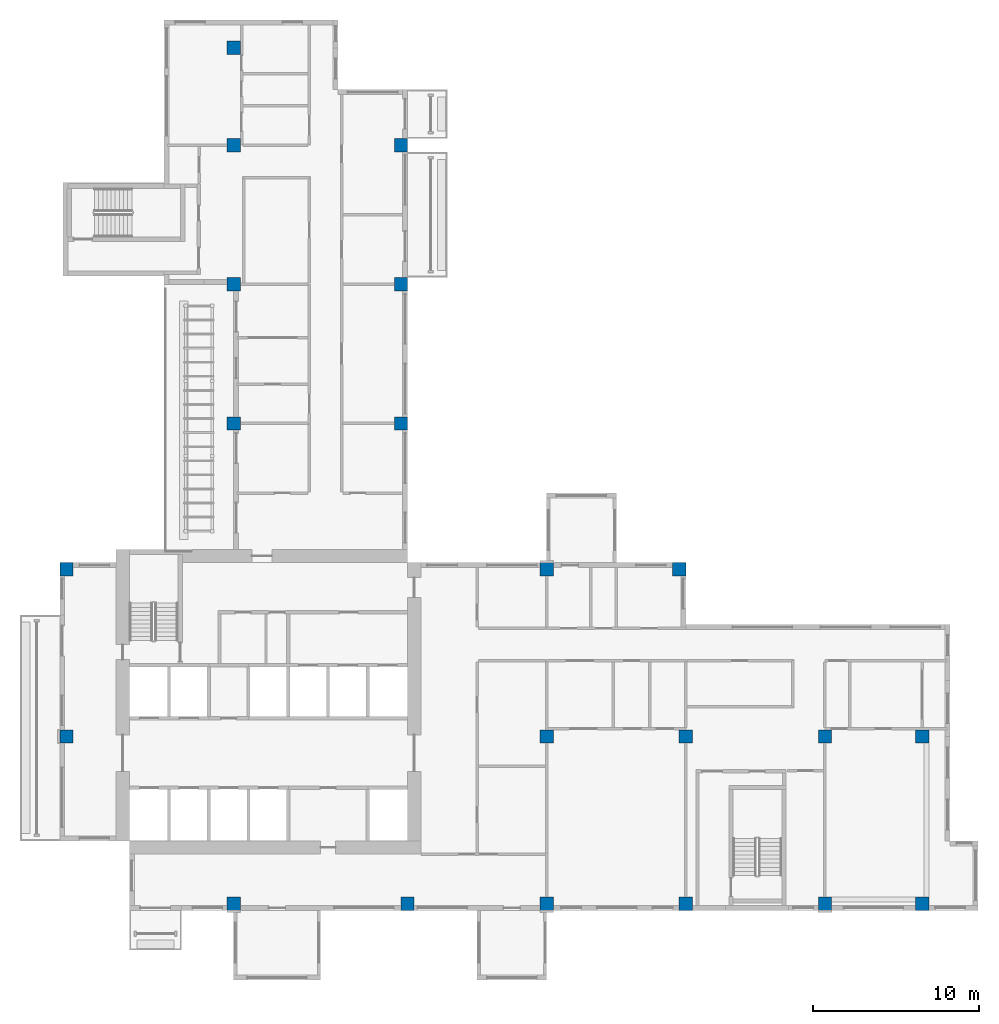
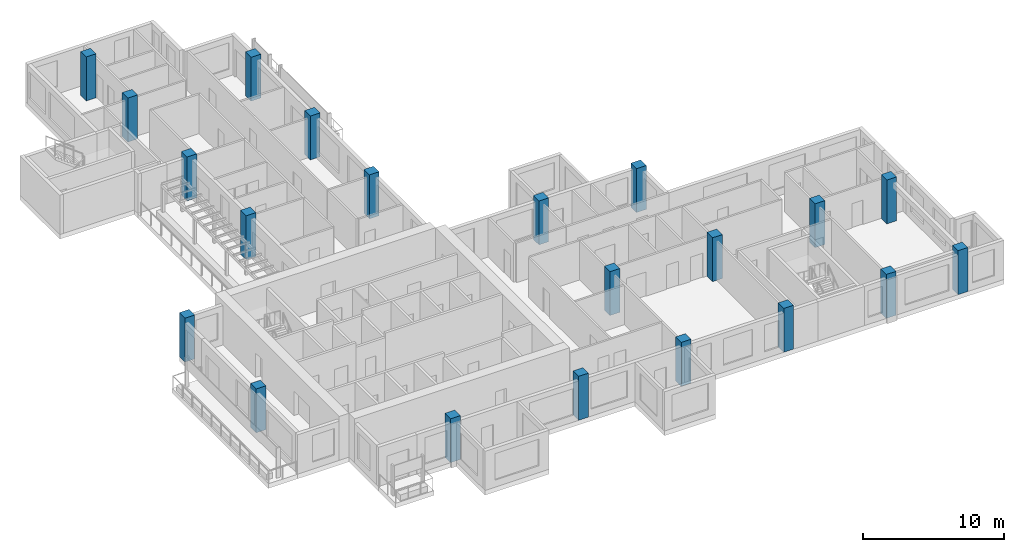
# One storey, part 1 of 14: 21 columns.
"""IFC4 building model written with IfcOpenShell, lengths in metres."""

from ifc_helpers import new_model, si_unit, direction, frame, origin, origin_2d, place, context, subcontext, project, spatial, rectangle, extrude, source, transform, mapped, material, material_profile, profile_set, type_object, element, save


model = new_model("IFC4")

# Units and contexts
model_context = context("Model", 3, precision=1e-05, world=origin(), true_north=direction((0.0, 1.0)))
body_context = subcontext(model_context, "Body", "Model", "MODEL_VIEW")
ifc_project = project(units=[si_unit("LENGTHUNIT", "METRE"), si_unit("AREAUNIT", "SQUARE_METRE"), si_unit("VOLUMEUNIT", "CUBIC_METRE"), si_unit("PLANEANGLEUNIT", "RADIAN"), si_unit("MASSUNIT", "GRAM", prefix="KILO")], contexts=[model_context])

# Site, building, storey
site_placement = place(None, origin())
site = spatial("IfcSite", under=ifc_project, at=site_placement, CompositionType="ELEMENT")
building_placement = place(site_placement, origin())
building = spatial("IfcBuilding", under=site, at=building_placement, Name="Aurelian Terraces", CompositionType="ELEMENT")
storey_placement = place(building_placement, frame((0.0, 0.0, 231.0)))
storey = spatial("IfcBuildingStorey", under=building, at=storey_placement, Name="L52", CompositionType="ELEMENT", Elevation=231.0)

# Columns
ifc_material = material(Name="Concrete fc' 70 MPa", Category="concrete")
ifc_material_profile = material_profile(ifc_material, rectangle(XDim=0.8, YDim=0.8, at=origin_2d()))
ifc_profile_set = profile_set([ifc_material_profile], Name="Concrete fc' 70 MPa")
column_type = type_object("IfcColumnType", Name="RC COLUMN 800X800 FC70", PredefinedType="COLUMN", material=ifc_profile_set)
shared_shape = source(origin(), body_context, "Body", "SweptSolid", [
    extrude(rectangle(XDim=0.8, YDim=0.8, at=origin_2d()), origin(), (0.0, 0.0, 1.0), 3.8),
])
for number, where, z_axis, x_axis, name in (
    (1, (10.5, 0.4, 0.0), (0.0, 0.0, 1.0), (1.0, 0.0, 0.0), "Column 2/A L52"),
    (2, (21.0, 0.4, 0.0), (0.0, 0.0, 1.0), (1.0, 0.0, 0.0), "Column 3/A L52"),
    (3, (29.4, 0.4, 0.0), (0.0, 0.0, 1.0), (1.0, 0.0, 0.0), "Column 4/A L52"),
    (4, (37.8, 0.4, 0.0), (0.0, 0.0, 1.0), (1.0, 0.0, 0.0), "Column 5/A L52"),
    (5, (46.2, 0.4, 0.0), (0.0, 0.0, 1.0), (1.0, 0.0, 0.0), "Column 6/A L52"),
    (6, (52.08, 0.4, 0.0), (0.0, 0.0, 1.0), (1.0, 0.0, 0.0), "Column 7/A L52"),
    (7, (0.4, 10.5, 0.0), (0.0, 0.0, 1.0), (1.0, 0.0, 0.0), "Column 1/B L52"),
    (8, (29.4, 10.5, 0.0), (0.0, 0.0, 1.0), (1.0, 0.0, 0.0), "Column 4/B L52"),
    (9, (37.8, 10.5, 0.0), (0.0, 0.0, 1.0), (1.0, 0.0, 0.0), "Column 5/B L52"),
    (10, (46.2, 10.5, 0.0), (0.0, 0.0, 1.0), (1.0, 0.0, 0.0), "Column 6/B L52"),
    (11, (52.08, 10.5, 0.0), (0.0, 0.0, 1.0), (1.0, 0.0, 0.0), "Column 7/B L52"),
    (12, (0.4, 20.6, 0.0), (0.0, 0.0, 1.0), (1.0, 0.0, 0.0), "Column 1/C L52"),
    (13, (29.4, 20.6, 0.0), (0.0, 0.0, 1.0), (1.0, 0.0, 0.0), "Column 4/C L52"),
    (14, (37.4, 20.6, 0.0), (0.0, 0.0, 1.0), (1.0, 0.0, 0.0), "Column 5/C L52"),
    (15, (10.5, 29.4, 0.0), (0.0, 0.0, 1.0), (1.0, 0.0, 0.0), "Column 2/D L52"),
    (16, (20.6, 29.4, 0.0), (0.0, 0.0, 1.0), (1.0, 0.0, 0.0), "Column 3/D L52"),
    (17, (10.5, 37.8, 0.0), (0.0, 0.0, 1.0), (1.0, 0.0, 0.0), "Column 2/E L52"),
    (18, (20.6, 37.8, 0.0), (0.0, 0.0, 1.0), (1.0, 0.0, 0.0), "Column 3/E L52"),
    (19, (10.5, 46.2, 0.0), (0.0, 0.0, 1.0), (1.0, 0.0, 0.0), "Column 2/F L52"),
    (20, (20.6, 46.2, 0.0), (0.0, 0.0, 1.0), (1.0, 0.0, 0.0), "Column 3/F L52"),
    (21, (10.5, 52.08, 0.0), (0.0, 0.0, 1.0), (1.0, 0.0, 0.0), "Column 2/G L52"),
):
    element("IfcColumn", number, at=place(storey_placement, frame(where, z_axis=z_axis, x_axis=x_axis)), inside=storey, type_object=column_type, Name=name, PredefinedType="COLUMN", context=body_context, shape_type="MappedRepresentation", body=[
        mapped(shared_shape, transform((0.0, 0.0, 0.0), scale=1.0)),
    ])

save(model, "model.ifc")
